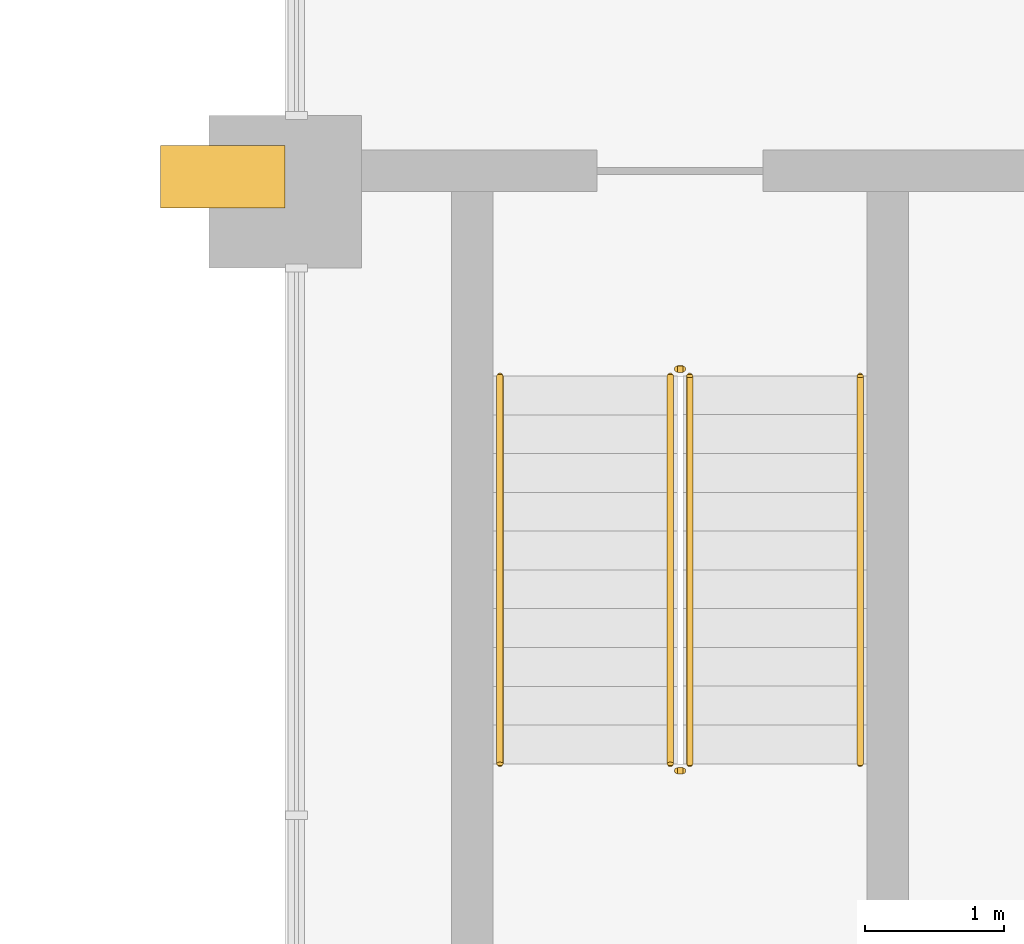
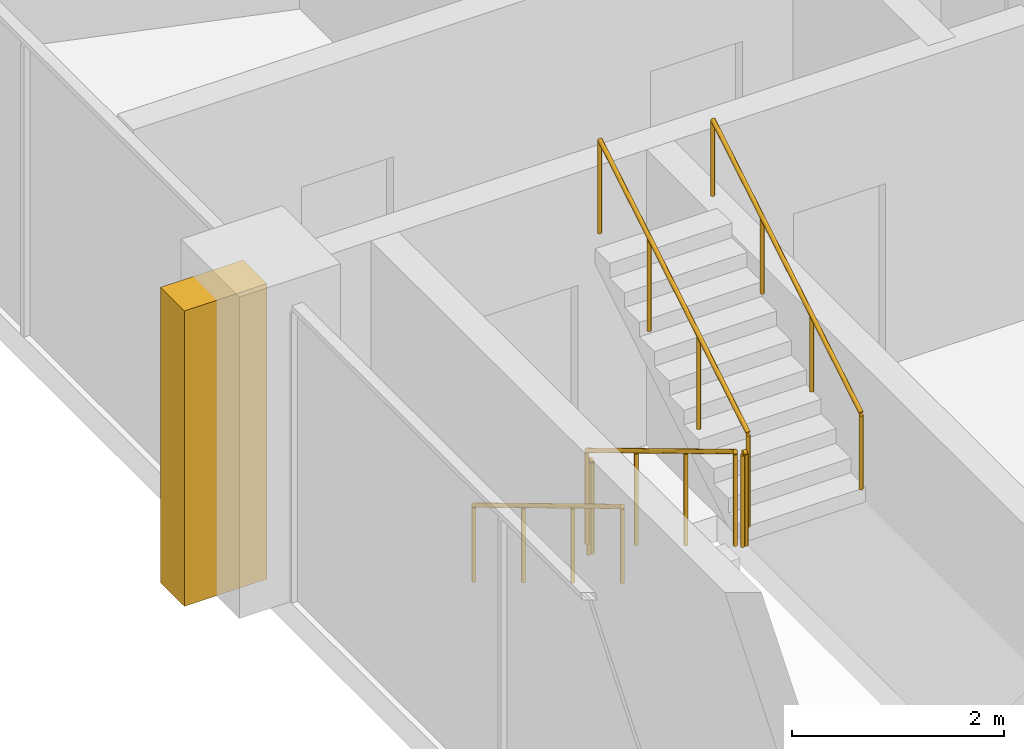
# One storey, part 19 of 21: 6 railings, 1 covering.
"""IFC4 building model written with IfcOpenShell, lengths in metres."""

from ifc_helpers import new_model, si_unit, direction, frame, origin, origin_2d, place, context, subcontext, project, spatial, rectangle, circle, extrude, material, layer, layer_set, type_object, element, save


model = new_model("IFC4")

# Units and contexts
model_context = context("Model", 3, precision=1e-05, world=origin(), true_north=direction((0.0, 1.0)))
body_context = subcontext(model_context, "Body", "Model", "MODEL_VIEW")
ifc_project = project(units=[si_unit("LENGTHUNIT", "METRE"), si_unit("AREAUNIT", "SQUARE_METRE"), si_unit("VOLUMEUNIT", "CUBIC_METRE"), si_unit("PLANEANGLEUNIT", "RADIAN"), si_unit("MASSUNIT", "GRAM", prefix="KILO")], contexts=[model_context])

# Site, building, storey
site_placement = place(None, origin())
site = spatial("IfcSite", under=ifc_project, at=site_placement, CompositionType="ELEMENT")
building_placement = place(site_placement, origin())
building = spatial("IfcBuilding", under=site, at=building_placement, Name="Ogive Portal Towers", CompositionType="ELEMENT")
storey_placement = place(building_placement, frame((0.0, 0.0, 157.0)))
storey = spatial("IfcBuildingStorey", under=building, at=storey_placement, Name="L38", CompositionType="ELEMENT", Elevation=157.0)

# Covering
ifc_material_1 = material(Name="Limestone cladding on lightweight block wall", Category="masonry")
ifc_layer = layer(ifc_material_1, 0.449951171875)
ifc_layer_set = layer_set([ifc_layer], Name="BUTTRESS PIER STONE")
covering_type = type_object("IfcCoveringType", Name="BUTTRESS PIER STONE", PredefinedType="CLADDING", material=ifc_layer_set)
covering_placement = place(storey_placement, frame((85.050048828125, 30.607421875, 0.0), z_axis=(0.0, 0.0, 1.0), x_axis=(1.0, 0.0, 0.0)))
element("IfcCovering", 1, at=covering_placement, inside=storey, type_object=covering_type, Name="Buttress pier A2-F01.1", PredefinedType="CLADDING", context=body_context, shape_type="SweptSolid", body=[
    extrude(rectangle(XDim=0.89990234375, YDim=0.449951171875, at=origin_2d()), origin(), (0.0, 0.0, 1.0), 3.39990234375),
])

# Railings
ifc_material_2 = material(Name="Stainless steel balustrade", Category="steel")
railing_type_1 = type_object("IfcRailingType", Name="INT-GUARD", PredefinedType="GUARDRAIL", material=ifc_material_2)
railing_1_placement = place(storey_placement, frame((88.280029296875, 29.169921875, 0.168212890625)))
element("IfcRailing", 2, at=railing_1_placement, inside=storey, type_object=railing_type_1, Name="L38 ST-A4 stair guard 1", PredefinedType="GUARDRAIL", context=body_context, shape_type="SweptSolid", body=[
    extrude(circle(Radius=0.02392578125, at=origin_2d()), frame((0.0, 0.0, 1.076171875), z_axis=(0.0, -0.857222391501, 0.514946377315), x_axis=(1.0, 0.0, 0.0)), (0.0, 0.0, 1.0), 3.26611328125),
    extrude(circle(Radius=0.02099609375, at=origin_2d()), origin(), (0.0, 0.0, 1.0), 1.052001953125),
    extrude(circle(Radius=0.02099609375, at=origin_2d()), frame((0.0, -0.933349609375, 0.560546875)), (0.0, 0.0, 1.0), 1.052001953125),
    extrude(circle(Radius=0.02099609375, at=origin_2d()), frame((0.0, -1.866455078125, 1.121337890625)), (0.0, 0.0, 1.0), 1.052001953125),
    extrude(circle(Radius=0.02099609375, at=origin_2d()), frame((0.0, -2.7998046875, 1.681884765625)), (0.0, 0.0, 1.0), 1.052001953125),
])
railing_2_placement = place(storey_placement, frame((88.330078125, 26.320068359375, 1.85009765625)))
element("IfcRailing", 3, at=railing_2_placement, inside=storey, type_object=railing_type_1, Name="L38 ST-A4 stair guard 2", PredefinedType="GUARDRAIL", context=body_context, shape_type="SweptSolid", body=[
    extrude(circle(Radius=0.02392578125, at=origin_2d()), frame((0.0, 0.0, 1.076171875), z_axis=(1.0, 0.0, 0.0), x_axis=(0.0, 1.0, 0.0)), (0.0, 0.0, 1.0), 0.0400390625),
    extrude(circle(Radius=0.02099609375, at=origin_2d()), origin(), (0.0, 0.0, 1.0), 1.052001953125),
    extrude(circle(Radius=0.02099609375, at=origin_2d()), frame((0.0400390625, 0.0, 0.0)), (0.0, 0.0, 1.0), 1.052001953125),
])
railing_3_placement = place(storey_placement, frame((88.419921875, 26.3701171875, 2.01806640625)))
element("IfcRailing", 4, at=railing_3_placement, inside=storey, type_object=railing_type_1, Name="L38 ST-A4 stair guard 3", PredefinedType="GUARDRAIL", context=body_context, shape_type="SweptSolid", body=[
    extrude(circle(Radius=0.02392578125, at=origin_2d()), frame((0.0, 0.0, 1.076171875), z_axis=(0.0, 0.857222391501, 0.514946377315), x_axis=(-1.0, 0.0, 0.0)), (0.0, 0.0, 1.0), 3.26611328125),
    extrude(circle(Radius=0.02099609375, at=origin_2d()), origin(), (0.0, 0.0, 1.0), 1.052001953125),
    extrude(circle(Radius=0.02099609375, at=origin_2d()), frame((0.0, 0.933349609375, 0.560546875)), (0.0, 0.0, 1.0), 1.052001953125),
    extrude(circle(Radius=0.02099609375, at=origin_2d()), frame((0.0, 1.866455078125, 1.121337890625)), (0.0, 0.0, 1.0), 1.052001953125),
    extrude(circle(Radius=0.02099609375, at=origin_2d()), frame((0.0, 2.7998046875, 1.681884765625)), (0.0, 0.0, 1.0), 1.052001953125),
])
railing_4_placement = place(storey_placement, frame((88.330078125, 29.219970703125, 0.0)))
element("IfcRailing", 5, at=railing_4_placement, inside=storey, type_object=railing_type_1, Name="L38 ST-A4 stair guard 4", PredefinedType="GUARDRAIL", context=body_context, shape_type="SweptSolid", body=[
    extrude(circle(Radius=0.02392578125, at=origin_2d()), frame((0.0, 0.0, 1.076171875), z_axis=(1.0, 0.0, 0.0), x_axis=(0.0, 1.0, 0.0)), (0.0, 0.0, 1.0), 0.0400390625),
    extrude(circle(Radius=0.02099609375, at=origin_2d()), origin(), (0.0, 0.0, 1.0), 1.052001953125),
    extrude(circle(Radius=0.02099609375, at=origin_2d()), frame((0.0400390625, 0.0, 0.0)), (0.0, 0.0, 1.0), 1.052001953125),
])
ifc_material_3 = material(Name="Stainless steel handrail", Category="steel")
railing_type_2 = type_object("IfcRailingType", Name="INT-HANDRAIL", PredefinedType="HANDRAIL", material=ifc_material_3)
railing_5_placement = place(storey_placement, frame((87.050048828125, 29.169921875, 0.168212890625)))
element("IfcRailing", 6, at=railing_5_placement, inside=storey, type_object=railing_type_2, Name="L38 ST-A4 stair handrail 1", PredefinedType="HANDRAIL", context=body_context, shape_type="SweptSolid", body=[
    extrude(circle(Radius=0.02392578125, at=origin_2d()), frame((0.0, 0.0, 0.8759765625), z_axis=(0.0, -0.857222391501, 0.514946377315), x_axis=(1.0, 0.0, 0.0)), (0.0, 0.0, 1.0), 3.26611328125),
    extrude(circle(Radius=0.02099609375, at=origin_2d()), origin(), (0.0, 0.0, 1.0), 0.851806640625),
    extrude(circle(Radius=0.02099609375, at=origin_2d()), frame((0.0, -0.933349609375, 0.560546875)), (0.0, 0.0, 1.0), 0.851806640625),
    extrude(circle(Radius=0.02099609375, at=origin_2d()), frame((0.0, -1.866455078125, 1.121337890625)), (0.0, 0.0, 1.0), 0.851806640625),
    extrude(circle(Radius=0.02099609375, at=origin_2d()), frame((0.0, -2.7998046875, 1.681884765625)), (0.0, 0.0, 1.0), 0.851806640625),
])
railing_6_placement = place(storey_placement, frame((89.64990234375, 26.3701171875, 2.01806640625)))
element("IfcRailing", 7, at=railing_6_placement, inside=storey, type_object=railing_type_2, Name="L38 ST-A4 stair handrail 2", PredefinedType="HANDRAIL", context=body_context, shape_type="SweptSolid", body=[
    extrude(circle(Radius=0.02392578125, at=origin_2d()), frame((0.0, 0.0, 0.8759765625), z_axis=(0.0, 0.857222391501, 0.514946377315), x_axis=(-1.0, 0.0, 0.0)), (0.0, 0.0, 1.0), 3.26611328125),
    extrude(circle(Radius=0.02099609375, at=origin_2d()), origin(), (0.0, 0.0, 1.0), 0.851806640625),
    extrude(circle(Radius=0.02099609375, at=origin_2d()), frame((0.0, 0.933349609375, 0.560546875)), (0.0, 0.0, 1.0), 0.851806640625),
    extrude(circle(Radius=0.02099609375, at=origin_2d()), frame((0.0, 1.866455078125, 1.121337890625)), (0.0, 0.0, 1.0), 0.851806640625),
    extrude(circle(Radius=0.02099609375, at=origin_2d()), frame((0.0, 2.7998046875, 1.681884765625)), (0.0, 0.0, 1.0), 0.851806640625),
])

save(model, "model.ifc")
